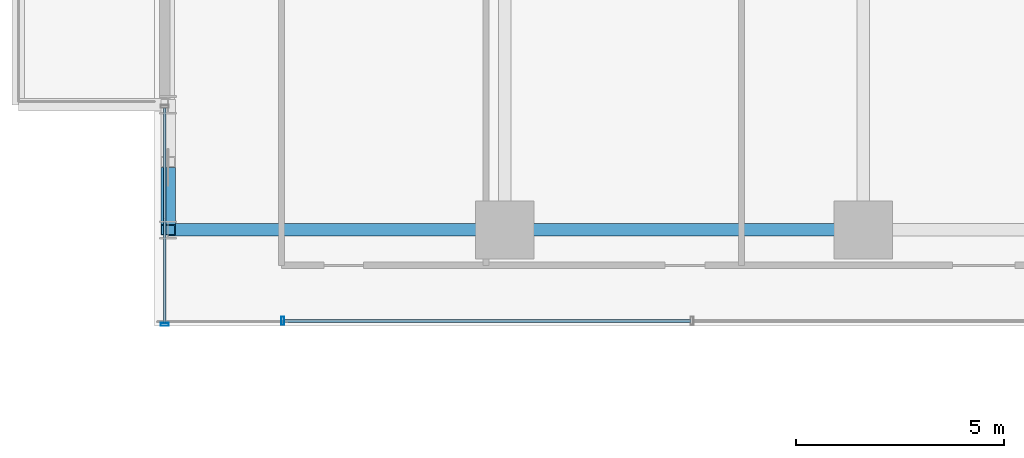
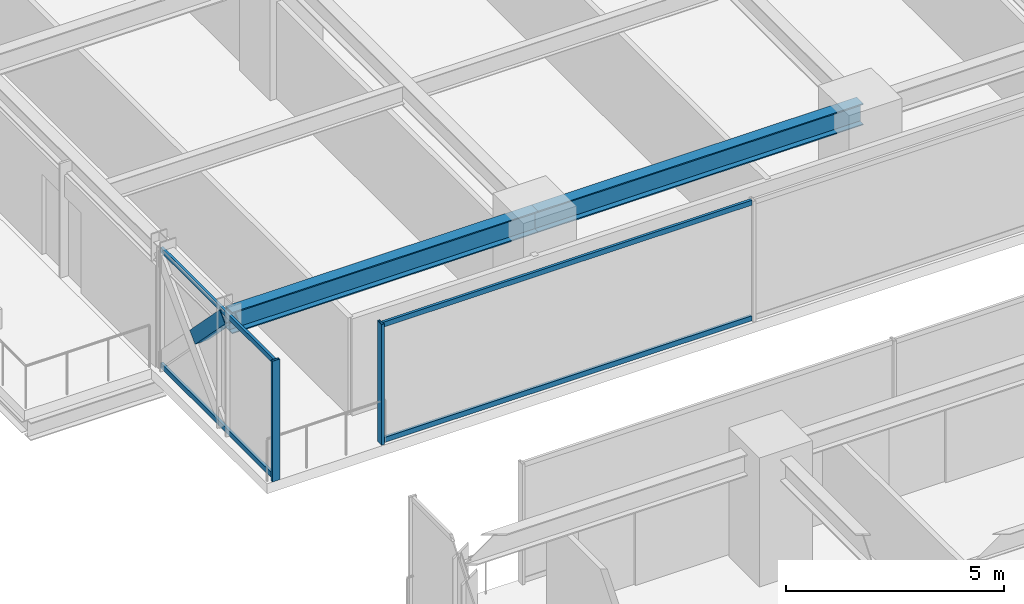
# One storey, part 10 of 42: 7 members, 2 beams, 2 elements without a shape of their own.
"""IFC4 building model written with IfcOpenShell, lengths in metres."""

from ifc_helpers import new_model, si_unit, direction, frame, origin, origin_2d, place, context, subcontext, project, spatial, hollow_rectangle, i_section, extrude, source, transform, mapped, material, material_profile, profile_set, type_object, element, aggregate, save


model = new_model("IFC4")

# Units and contexts
model_context = context("Model", 3, precision=1e-05, world=origin(), true_north=direction((0.0, 1.0)))
body_context = subcontext(model_context, "Body", "Model", "MODEL_VIEW")
ifc_project = project(units=[si_unit("LENGTHUNIT", "METRE"), si_unit("AREAUNIT", "SQUARE_METRE"), si_unit("VOLUMEUNIT", "CUBIC_METRE"), si_unit("PLANEANGLEUNIT", "RADIAN"), si_unit("MASSUNIT", "GRAM", prefix="KILO")], contexts=[model_context])

# Site, building, storey
site_placement = place(None, origin())
site = spatial("IfcSite", under=ifc_project, at=site_placement, CompositionType="ELEMENT")
building_placement = place(site_placement, origin())
building = spatial("IfcBuilding", under=site, at=building_placement, Name="Nahalor Promenade Grand Hotel", CompositionType="ELEMENT")
storey_placement = place(building_placement, frame((0.0, 0.0, 61.60009765625)))
storey = spatial("IfcBuildingStorey", under=building, at=storey_placement, Name="L14", CompositionType="ELEMENT", Elevation=61.60009765625)

# Beams
ifc_material_1 = material(Name="Steel S355JR", Category="steel")
ifc_material_profile_1 = material_profile(ifc_material_1, i_section(OverallWidth=0.3, OverallDepth=0.6, WebThickness=0.0155, FlangeThickness=0.03, at=origin_2d()), Name="HEB 600")
ifc_profile_set_1 = profile_set([ifc_material_profile_1], Name="Steel S355JR")
beam_type = type_object("IfcBeamType", Name="Beam-Girder-HEB600", PredefinedType="BEAM", material=ifc_profile_set_1)
shared_shape_1 = source(origin(), body_context, "Body", "SweptSolid", [
    extrude(i_section(OverallWidth=0.3, OverallDepth=0.6, WebThickness=0.0155, FlangeThickness=0.03, at=origin_2d()), origin(), (0.0, 0.0, 1.0), 8.60009765625),
])
beam_1_placement = place(storey_placement, frame((-17.0, 5.39990234375, 3.06982421875), z_axis=(1.0, 0.0, 0.0), x_axis=(0.0, 1.0, 0.0)))
element("IfcBeam", 1, at=beam_1_placement, inside=storey, type_object=beam_type, Name="BM-L14-GX-2-1", PredefinedType="BEAM", context=body_context, shape_type="MappedRepresentation", body=[
    mapped(shared_shape_1, transform((0.0, 0.0, 0.0), scale=1.0)),
])
shared_shape_2 = source(origin(), body_context, "Body", "SweptSolid", [
    extrude(i_section(OverallWidth=0.3, OverallDepth=0.6, WebThickness=0.0155, FlangeThickness=0.03, at=origin_2d()), origin(), (0.0, 0.0, 1.0), 8.080078125),
])
beam_2_placement = place(storey_placement, frame((-25.080078125, 5.39990234375, 3.06982421875), z_axis=(1.0, 0.0, 0.0), x_axis=(0.0, 1.0, 0.0)))
element("IfcBeam", 2, at=beam_2_placement, inside=storey, type_object=beam_type, Name="BM-L14-GX-2-0", PredefinedType="BEAM", context=body_context, shape_type="MappedRepresentation", body=[
    mapped(shared_shape_2, transform((0.0, 0.0, 0.0), scale=1.0)),
])

# Member
ifc_material_profile_2 = material_profile(ifc_material_1, hollow_rectangle(XDim=0.35, YDim=0.35, WallThickness=0.02, at=origin_2d()), Name="SHS 350x350x20")
ifc_profile_set_2 = profile_set([ifc_material_profile_2], Name="Steel S355JR")
member_type_1 = type_object("IfcMemberType", Name="Mem-VoidBrace-SHS350", PredefinedType="BRACE", material=ifc_profile_set_2)
shared_shape_3 = source(origin(), body_context, "Body", "SweptSolid", [
    extrude(hollow_rectangle(XDim=0.35, YDim=0.35, WallThickness=0.02, at=origin_2d()), origin(), (0.0, 0.0, 1.0), 1.959228515625),
])
member_1_placement = place(storey_placement, frame((-25.080078125, 6.769287109375, 1.818603515625), z_axis=(0.0, -0.698898183234, 0.715221175212), x_axis=(1.0, 0.0, 0.0)))
element("IfcMember", 3, at=member_1_placement, inside=storey, type_object=member_type_1, Name="EXO-L14-VX2-W1B", PredefinedType="BRACE", context=body_context, shape_type="MappedRepresentation", body=[
    mapped(shared_shape_3, transform((0.0, 0.0, 0.0), scale=1.0)),
])

# Curtain wall, member
ifc_material_2 = material(Name="Anodised Bronze Aluminium EN AW-6063 T6", Category="aluminium")
curtain_wall_type = type_object("IfcCurtainWallType", Name="CW3 Elliptical-Void Collar Unitised Curtain Wall", PredefinedType="USERDEFINED", material=ifc_material_2)
curtain_wall_1_placement = place(storey_placement, origin())
curtain_wall_1 = element("IfcCurtainWall", 4, at=curtain_wall_1_placement, inside=storey, type_object=curtain_wall_type, Name="L14 Curtain Wall CW-L14-W-2", ObjectType="UNITISED_CURTAIN_WALL", PredefinedType="USERDEFINED")
ifc_material_profile_3 = material_profile(ifc_material_2, hollow_rectangle(XDim=0.07, YDim=0.2, WallThickness=0.005, at=origin_2d()), Name="CWM 70x200x5")
ifc_profile_set_3 = profile_set([ifc_material_profile_3], Name="Anodised Bronze Aluminium EN AW-6063 T6")
member_type_2 = type_object("IfcMemberType", Name="CWM3 Void Collar Mullion 70x200", PredefinedType="MULLION", material=ifc_profile_set_3)
shared_shape_4 = source(origin(), body_context, "Body", "SweptSolid", [
    extrude(hollow_rectangle(XDim=0.07, YDim=0.2, WallThickness=0.005, at=origin_2d()), origin(), (0.0, 0.0, 1.0), 3.369873046875),
])
member_2_placement = place(storey_placement, frame((-25.159912109375, 3.135009765625, 0.0), z_axis=(0.0, 0.0, 1.0), x_axis=(0.0, 1.0, 0.0)))
member_2 = element("IfcMember", 5, at=member_2_placement, type_object=member_type_2, Name="CW-L14-W-2 Mullion 0", PredefinedType="MULLION", context=body_context, shape_type="MappedRepresentation", body=[
    mapped(shared_shape_4, transform((0.0, 0.0, 0.0), scale=1.0)),
])

# Curtain wall, members
curtain_wall_2_placement = place(storey_placement, origin())
curtain_wall_2 = element("IfcCurtainWall", 6, at=curtain_wall_2_placement, inside=storey, type_object=curtain_wall_type, Name="L14 Curtain Wall CW-L14-VOID-WN1", ObjectType="UNITISED_CURTAIN_WALL", PredefinedType="USERDEFINED")
member_3_placement = place(storey_placement, frame((-22.324951171875, 3.219970703125, 0.0), z_axis=(0.0, 0.0, 1.0), x_axis=(1.0, 0.0, 0.0)))
member_3 = element("IfcMember", 7, at=member_3_placement, type_object=member_type_2, Name="CW-L14-VOID-WN1 Mullion 0", PredefinedType="MULLION", context=body_context, shape_type="MappedRepresentation", body=[
    mapped(shared_shape_4, transform((0.0, 0.0, 0.0), scale=1.0)),
])
ifc_material_profile_4 = material_profile(ifc_material_2, hollow_rectangle(XDim=0.07, YDim=0.14, WallThickness=0.004, at=origin_2d()), Name="CWT 70x140x4")
ifc_profile_set_4 = profile_set([ifc_material_profile_4], Name="Anodised Bronze Aluminium EN AW-6063 T6")
member_type_3 = type_object("IfcMemberType", Name="CWT3 Void Collar Transom 70x140", PredefinedType="USERDEFINED", material=ifc_profile_set_4)
shared_shape_5 = source(origin(), body_context, "Body", "SweptSolid", [
    extrude(hollow_rectangle(XDim=0.07, YDim=0.14, WallThickness=0.004, at=origin_2d()), origin(), (0.0, 0.0, 1.0), 9.748291015625),
])
member_4_placement = place(storey_placement, frame((-22.2900390625, 3.219970703125, 0.06982421875), z_axis=(1.0, 0.0, 0.0), x_axis=(0.0, 1.0, 0.0)))
member_4 = element("IfcMember", 8, at=member_4_placement, type_object=member_type_3, Name="CW-L14-VOID-WN1 Transom 0-0", ObjectType="TRANSOM", PredefinedType="USERDEFINED", context=body_context, shape_type="MappedRepresentation", body=[
    mapped(shared_shape_5, transform((0.0, 0.0, 0.0), scale=1.0)),
])
member_5_placement = place(storey_placement, frame((-22.2900390625, 3.219970703125, 3.2998046875), z_axis=(1.0, 0.0, 0.0), x_axis=(0.0, 1.0, 0.0)))
member_5 = element("IfcMember", 9, at=member_5_placement, type_object=member_type_3, Name="CW-L14-VOID-WN1 Transom 0-1", ObjectType="TRANSOM", PredefinedType="USERDEFINED", context=body_context, shape_type="MappedRepresentation", body=[
    mapped(shared_shape_5, transform((0.0, 0.0, 0.0), scale=1.0)),
])
aggregate(curtain_wall_2, [member_3, member_4, member_5])

# Member
shared_shape_6 = source(origin(), body_context, "Body", "SweptSolid", [
    extrude(hollow_rectangle(XDim=0.07, YDim=0.14, WallThickness=0.004, at=origin_2d()), origin(), (0.0, 0.0, 1.0), 5.16015625),
])
member_6_placement = place(storey_placement, frame((-25.159912109375, 3.169921875, 0.06982421875), z_axis=(0.0, 1.0, 0.0), x_axis=(-1.0, 0.0, 0.0)))
member_6 = element("IfcMember", 10, at=member_6_placement, type_object=member_type_3, Name="CW-L14-W-2 Transom 0-0", ObjectType="TRANSOM", PredefinedType="USERDEFINED", context=body_context, shape_type="MappedRepresentation", body=[
    mapped(shared_shape_6, transform((0.0, 0.0, 0.0), scale=1.0)),
])

member_7_placement = place(storey_placement, frame((-25.159912109375, 3.169921875, 3.2998046875), z_axis=(0.0, 1.0, 0.0), x_axis=(-1.0, 0.0, 0.0)))
member_7 = element("IfcMember", 11, at=member_7_placement, type_object=member_type_3, Name="CW-L14-W-2 Transom 0-1", ObjectType="TRANSOM", PredefinedType="USERDEFINED", context=body_context, shape_type="MappedRepresentation", body=[
    mapped(shared_shape_6, transform((0.0, 0.0, 0.0), scale=1.0)),
])

aggregate(curtain_wall_1, [member_2, member_6, member_7])

save(model, "model.ifc")
